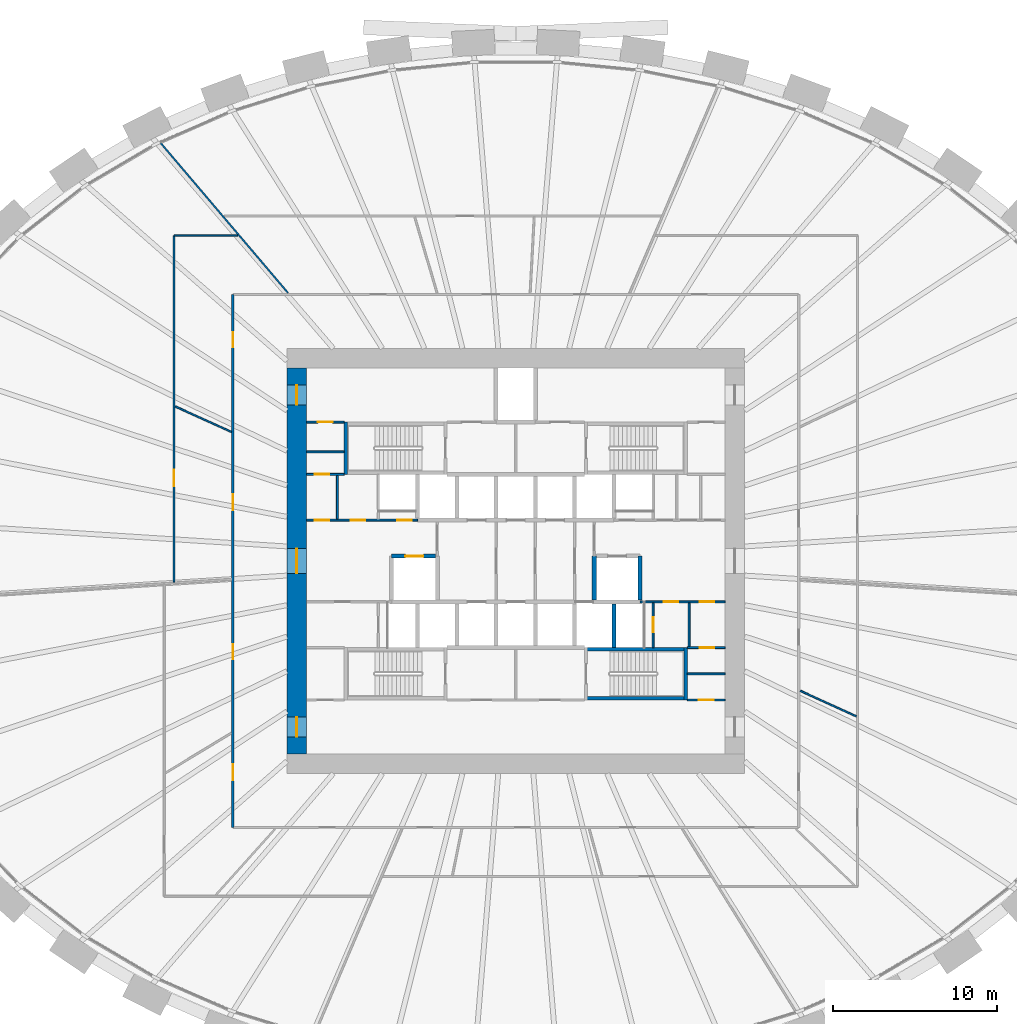
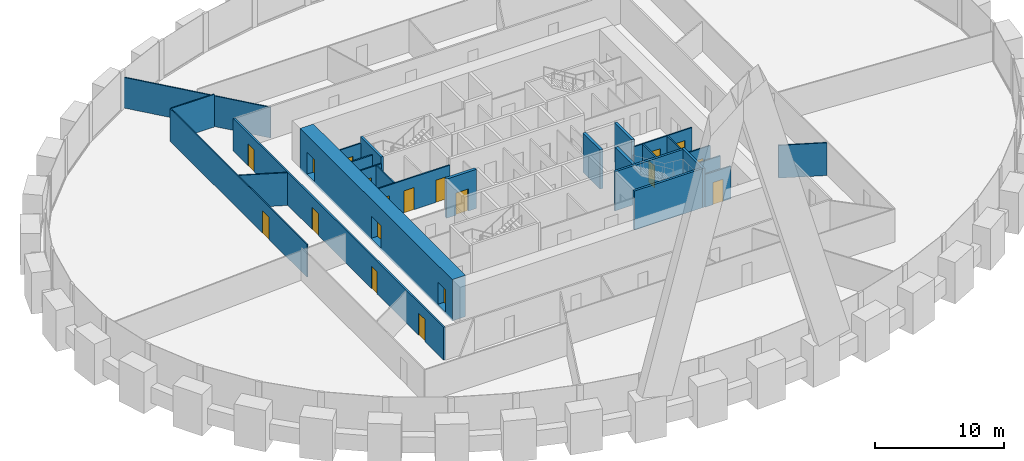
# One storey, part 7 of 10: 26 walls, 19 doors, 19 openings.
"""IFC4 building model written with IfcOpenShell, lengths in metres."""

import ifcopenshell
import ifcopenshell.guid

model = None  # the IFC model being written
_history = None  # IfcOwnerHistory: only IFC2X3 demands one
_inside = {}  # id of a spatial element -> (the spatial element, [elements in it])
_under = {}  # id of a project, library or spatial element -> (it, [spatial elements below it])
_declared = {}  # id of a project -> (the project, [libraries it declares])
_typed = {}  # id of a type object -> (the type object, [elements of that type])
_made_of = {}  # id of a material, layer set ... -> (it, [elements and type objects made of it])


def new_model(schema):
    """Start an empty IFC model of exactly this schema.

    Asked for "IFC4X3", IfcOpenShell would pick the latest addendum, in which some entities
    have other attributes; the version numbers below select the first issue.
    IFC2X3 requires an IfcOwnerHistory on every rooted entity: one is made here for all.
    """
    global model, _history
    if schema == "IFC4X3":
        model = ifcopenshell.file(schema_version=(4, 3, 0, 0))
    else:
        model = ifcopenshell.file(schema=schema)
    _inside.clear()
    _under.clear()
    _declared.clear()
    _typed.clear()
    _made_of.clear()
    _history = None
    if model.schema == "IFC2X3":
        org = make("IfcOrganization", Name="unknown")
        user = make(
            "IfcPersonAndOrganization",
            ThePerson=make("IfcPerson", FamilyName="unknown"),
            TheOrganization=org,
        )
        app = make(
            "IfcApplication",
            ApplicationDeveloper=org,
            Version="unknown",
            ApplicationFullName="unknown",
            ApplicationIdentifier="unknown",
        )
        _history = make(
            "IfcOwnerHistory",
            OwningUser=user,
            OwningApplication=app,
            ChangeAction="ADDED",
            CreationDate=0,
        )
    return model


def make(cls, **values):
    """One entity of the class cls with the attributes given. An attribute that is None is left unset."""
    return model.create_entity(
        cls, **{name: value for name, value in values.items() if value is not None}
    )


def rooted(cls, **values):
    """An entity with a GlobalId (a new one), such as an element, a storey or a relation."""
    return make(cls, GlobalId=ifcopenshell.guid.new(), OwnerHistory=_history, **values)


def si_unit(unit_type, name, prefix=None):
    """IfcSIUnit, for example si_unit("LENGTHUNIT", "METRE", prefix="MILLI")."""
    return make("IfcSIUnit", UnitType=unit_type, Prefix=prefix, Name=name)


def assignment(units):
    """IfcUnitAssignment: the units of a project."""
    return None if units is None else make("IfcUnitAssignment", Units=units)


def point(xyz):
    """IfcCartesianPoint."""
    return None if xyz is None else make("IfcCartesianPoint", Coordinates=xyz)


def direction(xyz):
    """IfcDirection."""
    return None if xyz is None else make("IfcDirection", DirectionRatios=xyz)


def frame(location, z_axis=None, x_axis=None):
    """IfcAxis2Placement3D, a coordinate frame: its origin and axes. An axis left out is left unset."""
    return make(
        "IfcAxis2Placement3D",
        Location=point(location),
        Axis=direction(z_axis),
        RefDirection=direction(x_axis),
    )


def frame_2d(location, x_axis=None):
    """IfcAxis2Placement2D, a coordinate frame in the plane: its origin and x axis."""
    return make(
        "IfcAxis2Placement2D", Location=point(location), RefDirection=direction(x_axis)
    )


def origin():
    """The frame at (0, 0, 0) with its axes left unset."""
    return frame((0.0, 0.0, 0.0))


def place(relative_to, where):
    """IfcLocalPlacement: puts the frame where relative to a parent placement (None: the world)."""
    return make(
        "IfcLocalPlacement", PlacementRelTo=relative_to, RelativePlacement=where
    )


def context(
    kind, dimensions, precision=None, world=None, true_north=None, identifier=None
):
    """IfcGeometricRepresentationContext, for example the 3D "Model" context."""
    return make(
        "IfcGeometricRepresentationContext",
        ContextIdentifier=identifier,
        ContextType=kind,
        CoordinateSpaceDimension=dimensions,
        Precision=precision,
        WorldCoordinateSystem=world,
        TrueNorth=true_north,
    )


def subcontext(parent, identifier, kind, view, scale=None):
    """IfcGeometricRepresentationSubContext, for example "Body" below "Model"."""
    return make(
        "IfcGeometricRepresentationSubContext",
        ContextIdentifier=identifier,
        ContextType=kind,
        ParentContext=parent,
        TargetScale=scale,
        TargetView=view,
    )


def project(units=None, contexts=None):
    """IfcProject with its units and contexts."""
    return rooted(
        "IfcProject",
        Name="project",
        RepresentationContexts=contexts,
        UnitsInContext=assignment(units),
    )


def spatial(cls, under=None, at=None, **own):
    """A site, building, storey or space (cls), placed at a placement, below another one or the project."""
    s = rooted(cls, ObjectPlacement=at, **own)
    if under is not None:
        _under.setdefault(under.id(), (under, []))[1].append(s)
    return s


def profile(cls, at=None, kind="AREA", **sizes):
    """A parametric profile (cls). Its sizes go by their IFC names, for example OverallWidth=200.0."""
    return make(cls, ProfileType=kind, Position=at, **sizes)


def rectangle(**sizes):
    """IfcRectangleProfileDef."""
    return profile("IfcRectangleProfileDef", **sizes)


def extrude(swept, where, along, depth):
    """IfcExtrudedAreaSolid: the profile swept, set in the frame where, extruded along a direction by depth."""
    return make(
        "IfcExtrudedAreaSolid",
        SweptArea=swept,
        Position=where,
        ExtrudedDirection=direction(along),
        Depth=depth,
    )


def shape(context_of_items, identifier, shape_type, items):
    """IfcShapeRepresentation: the items that make up one representation, for example the "Body"."""
    return make(
        "IfcShapeRepresentation",
        ContextOfItems=context_of_items,
        RepresentationIdentifier=identifier,
        RepresentationType=shape_type,
        Items=items,
    )


def source(mapping_origin, context_of_items, identifier, shape_type, items):
    """IfcRepresentationMap: a shape defined once, which mapped items show again and again."""
    return make(
        "IfcRepresentationMap",
        MappingOrigin=mapping_origin,
        MappedRepresentation=shape(context_of_items, identifier, shape_type, items),
    )


def transform(
    local_origin,
    x_axis=None,
    y_axis=None,
    z_axis=None,
    scale=None,
    scale2=None,
    scale3=None,
    uniform=True,
):
    """IfcCartesianTransformationOperator3D, or its non-uniform kind. x_axis, y_axis, z_axis: its Axis1, 2, 3."""
    if uniform:
        return make(
            "IfcCartesianTransformationOperator3D",
            Axis1=direction(x_axis),
            Axis2=direction(y_axis),
            LocalOrigin=point(local_origin),
            Scale=scale,
            Axis3=direction(z_axis),
        )
    return make(
        "IfcCartesianTransformationOperator3DnonUniform",
        Axis1=direction(x_axis),
        Axis2=direction(y_axis),
        LocalOrigin=point(local_origin),
        Scale=scale,
        Axis3=direction(z_axis),
        Scale2=scale2,
        Scale3=scale3,
    )


def mapped(mapping_source, mapping_target):
    """IfcMappedItem: shows the shape of a source again, moved by a transform."""
    return make(
        "IfcMappedItem", MappingSource=mapping_source, MappingTarget=mapping_target
    )


def material(Name=None, Category=None):
    """IfcMaterial."""
    return make("IfcMaterial", Name=Name, Category=Category)


def layer(
    of_material, thickness, ventilated=None, Name=None, Category=None, Priority=None
):
    """IfcMaterialLayer: one layer of a wall or slab, of a material (None: an air gap)."""
    return make(
        "IfcMaterialLayer",
        Material=of_material,
        LayerThickness=thickness,
        IsVentilated=ventilated,
        Name=Name,
        Category=Category,
        Priority=Priority,
    )


def layer_set(layers, Name=None):
    """IfcMaterialLayerSet."""
    return make("IfcMaterialLayerSet", MaterialLayers=layers, LayerSetName=Name)


def made_of(thing, what):
    """Note that an element or type object is made of a material, layer set ...; save() writes the relation."""
    if what is not None:
        _made_of.setdefault(what.id(), (what, []))[1].append(thing)
    return thing


def type_object(cls, material=None, **own):
    """A type object (cls), such as IfcWallType, which elements share."""
    return made_of(rooted(cls, **own), material)


def element(
    cls,
    number,
    at=None,
    inside=None,
    cuts=None,
    type_object=None,
    material=None,
    context=None,
    identifier="Body",
    shape_type=None,
    held_by="IfcProductDefinitionShape",
    body=None,
    shapes=None,
    **own,
):
    """One element of the class cls, such as IfcWall. Its Tag is "e" and its number.

    at: its placement. inside: the storey or other place that contains it. cuts: it is an
    opening in that element (IfcRelVoidsElement). A single representation is given by context,
    identifier, shape_type and body (its items); several are given by shapes. held_by: the class
    of the entity that holds the representations. save() writes the other relations.
    """
    e = rooted(cls, Tag="e%d" % number, ObjectPlacement=at, **own)
    if body is not None:
        shapes = [shape(context, identifier, shape_type, body)]
    if shapes is not None:
        e.Representation = make(held_by, Representations=shapes)
    if inside is not None:
        _inside.setdefault(inside.id(), (inside, []))[1].append(e)
    if cuts is not None:
        rooted(
            "IfcRelVoidsElement", RelatingBuildingElement=cuts, RelatedOpeningElement=e
        )
    if type_object is not None:
        _typed.setdefault(type_object.id(), (type_object, []))[1].append(e)
    return made_of(e, material)


def fill(opening, filler):
    """IfcRelFillsElement: the door or window that sits in an opening."""
    return rooted(
        "IfcRelFillsElement",
        RelatingOpeningElement=opening,
        RelatedBuildingElement=filler,
    )


def aggregate(whole, parts):
    """IfcRelAggregates: a whole, such as a stair, and the parts it consists of."""
    return rooted("IfcRelAggregates", RelatingObject=whole, RelatedObjects=parts)


def save(model, path):
    """Write the relations noted so far, then the file.

    IfcRelAggregates (storeys below a building ...), IfcRelContainedInSpatialStructure (elements
    in a storey), IfcRelDefinesByType, IfcRelAssociatesMaterial and IfcRelDeclares: one each for
    every whole, place, type object, material and project.
    """
    for whole, parts in _under.values():
        aggregate(whole, parts)
    for where, things in _inside.values():
        rooted(
            "IfcRelContainedInSpatialStructure",
            RelatedElements=things,
            RelatingStructure=where,
        )
    for kind, things in _typed.values():
        rooted("IfcRelDefinesByType", RelatedObjects=things, RelatingType=kind)
    for what, things in _made_of.values():
        rooted("IfcRelAssociatesMaterial", RelatedObjects=things, RelatingMaterial=what)
    for by, libraries in _declared.values():
        rooted("IfcRelDeclares", RelatingContext=by, RelatedDefinitions=libraries)
    model.write(path)


model = new_model("IFC4")

# Units and contexts
model_context = context("Model", 3, precision=1e-05, world=origin(), true_north=direction((0.0, 1.0)))
body_context = subcontext(model_context, "Body", "Model", "MODEL_VIEW")
ifc_project = project(units=[si_unit("LENGTHUNIT", "METRE"), si_unit("AREAUNIT", "SQUARE_METRE"), si_unit("VOLUMEUNIT", "CUBIC_METRE"), si_unit("PLANEANGLEUNIT", "RADIAN"), si_unit("MASSUNIT", "GRAM", prefix="KILO")], contexts=[model_context])

# Site, building, storey
site_placement = place(None, origin())
site = spatial("IfcSite", under=ifc_project, at=site_placement, CompositionType="ELEMENT")
building_placement = place(site_placement, origin())
building = spatial("IfcBuilding", under=site, at=building_placement, Name="Embergate Tower", CompositionType="ELEMENT")
storey_placement = place(building_placement, frame((0.0, 0.0, 89.300048828125)))
storey = spatial("IfcBuildingStorey", under=building, at=storey_placement, Name="L18", CompositionType="ELEMENT", Elevation=89.300048828125)

# Wall, openings, doors
ifc_material_1 = material(Name="Concrete C80", Category="concrete")
ifc_layer_1 = layer(ifc_material_1, 1.199951171875)
ifc_layer_set_1 = layer_set([ifc_layer_1], Name="Concrete C80")
wall_type_1 = type_object("IfcWallType", Name="Core outer wall C80 1200", PredefinedType="SHEAR", material=ifc_layer_set_1)
shared_shape_1 = source(origin(), body_context, "Body", "SweptSolid", [
    extrude(rectangle(XDim=23.60009765625, YDim=1.199951171875, at=frame_2d((11.800048828125, 0.0))), origin(), (0.0, 0.0, 1.0), 3.89990234375),
])
wall_1_placement = place(storey_placement, frame((-13.39990234375, -11.800048828125, -0.199951171875), z_axis=(0.0, 0.0, 1.0), x_axis=(0.0, 1.0, 0.0)))
wall_1 = element("IfcWall", 1, at=wall_1_placement, inside=storey, type_object=wall_type_1, Name="CW-L18-W", PredefinedType="SHEAR", context=body_context, shape_type="MappedRepresentation", body=[
    mapped(shared_shape_1, transform((0.0, 0.0, 0.0))),
])
shared_shape_2 = source(origin(), body_context, "Body", "SweptSolid", [
    extrude(rectangle(XDim=1.199951171875, YDim=2.10009765625, at=frame_2d((0.60009765625, 1.050048828125))), frame((0.0, 0.60986328125, 0.0), z_axis=(0.0, -1.0, 0.0), x_axis=(1.0, 0.0, 0.0)), (0.0, 0.0, 1.0), 1.219970703125),
])
opening_1_placement = place(wall_1_placement, frame((21.35009765625, 0.0, 0.199951171875)))
opening_1 = element("IfcOpeningElement", 2, at=opening_1_placement, cuts=wall_1, Name="Opening IF-1", PredefinedType="OPENING", context=body_context, shape_type="MappedRepresentation", body=[
    mapped(shared_shape_2, transform((0.0, 0.0, 0.0))),
])
opening_2_placement = place(wall_1_placement, frame((1.050048828125, 0.0, 0.199951171875)))
opening_2 = element("IfcOpeningElement", 3, at=opening_2_placement, cuts=wall_1, Name="Opening IF-1", PredefinedType="OPENING", context=body_context, shape_type="MappedRepresentation", body=[
    mapped(shared_shape_2, transform((0.0, 0.0, 0.0))),
])
shared_shape_3 = source(origin(), body_context, "Body", "SweptSolid", [
    extrude(rectangle(XDim=1.5, YDim=2.10009765625, at=frame_2d((0.75, 1.050048828125))), frame((0.0, 0.60986328125, 0.0), z_axis=(0.0, -1.0, 0.0), x_axis=(1.0, 0.0, 0.0)), (0.0, 0.0, 1.0), 1.219970703125),
])
opening_3_placement = place(wall_1_placement, frame((11.050048828125, 0.0, 0.199951171875)))
opening_3 = element("IfcOpeningElement", 4, at=opening_3_placement, cuts=wall_1, Name="Opening IF-3", PredefinedType="OPENING", context=body_context, shape_type="MappedRepresentation", body=[
    mapped(shared_shape_3, transform((0.0, 0.0, 0.0))),
])
ifc_material_2 = material(Name="Escape fire door 1200")
door_type_1 = type_object("IfcDoorType", Name="Escape fire door 1200", OperationType="SINGLE_SWING_LEFT", PredefinedType="DOOR", material=ifc_material_2)
shared_shape_4 = source(origin(), body_context, "Body", "SweptSolid", [
    extrude(rectangle(XDim=1.199951171875, YDim=2.10009765625, at=frame_2d((0.60009765625, 1.050048828125))), frame((0.0, 0.02490234375, 0.0), z_axis=(0.0, -1.0, 0.0), x_axis=(1.0, 0.0, 0.0)), (0.0, 0.0, 1.0), 0.050048828125),
])
door_1_placement = place(opening_1_placement, origin())
door_1 = element("IfcDoor", 5, at=door_1_placement, inside=storey, type_object=door_type_1, Name="IF-1 door", OperationType="SINGLE_SWING_RIGHT", OverallHeight=2.10009765625, OverallWidth=1.199951171875, PredefinedType="DOOR", context=body_context, shape_type="MappedRepresentation", body=[
    mapped(shared_shape_4, transform((0.0, 0.0, 0.0))),
])
fill(opening_1, door_1)
door_2_placement = place(opening_2_placement, origin())
door_2 = element("IfcDoor", 6, at=door_2_placement, inside=storey, type_object=door_type_1, Name="IF-1 door", OperationType="SINGLE_SWING_RIGHT", OverallHeight=2.10009765625, OverallWidth=1.199951171875, PredefinedType="DOOR", context=body_context, shape_type="MappedRepresentation", body=[
    mapped(shared_shape_4, transform((0.0, 0.0, 0.0))),
])
fill(opening_2, door_2)
ifc_material_3 = material(Name="Lobby fire door pair 1500")
door_type_2 = type_object("IfcDoorType", Name="Lobby fire door pair 1500", OperationType="DOUBLE_DOOR_SINGLE_SWING", PredefinedType="DOOR", material=ifc_material_3)
shared_shape_5 = source(origin(), body_context, "Body", "SweptSolid", [
    extrude(rectangle(XDim=1.5, YDim=2.10009765625, at=frame_2d((0.75, 1.050048828125))), frame((0.0, 0.02490234375, 0.0), z_axis=(0.0, -1.0, 0.0), x_axis=(1.0, 0.0, 0.0)), (0.0, 0.0, 1.0), 0.050048828125),
])
door_3_placement = place(opening_3_placement, origin())
door_3 = element("IfcDoor", 7, at=door_3_placement, inside=storey, type_object=door_type_2, Name="IF-3 door", OperationType="DOUBLE_DOOR_SINGLE_SWING", OverallHeight=2.10009765625, OverallWidth=1.5, PredefinedType="DOOR", context=body_context, shape_type="MappedRepresentation", body=[
    mapped(shared_shape_5, transform((0.0, 0.0, 0.0))),
])
fill(opening_3, door_3)

# Walls
ifc_material_4 = material(Name="Concrete C50", Category="concrete")
ifc_layer_2 = layer(ifc_material_4, 0.25)
ifc_layer_set_2 = layer_set([ifc_layer_2], Name="Concrete C50")
wall_type_2 = type_object("IfcWallType", Name="Hoistway wall reinforced concrete 250", PredefinedType="SHEAR", material=ifc_layer_set_2)
shared_shape_6 = source(origin(), body_context, "Body", "SweptSolid", [
    extrude(rectangle(XDim=2.675048828125, YDim=0.25, at=frame_2d((1.33740234375, 0.0))), origin(), (0.0, 0.0, 1.0), 3.699951171875),
])
for number, where, z_axis, x_axis, name in (
    (8, (6.0, -5.300048828125, 0.0), (0.0, 0.0, 1.0), (0.0, 1.0, 0.0), "HW-1 wall"),
    (9, (4.800048828125, -2.375, 0.0), (0.0, 0.0, 1.0), (0.0, 1.0, 0.0), "HW-1 wall"),
):
    element("IfcWall", number, at=place(storey_placement, frame(where, z_axis=z_axis, x_axis=x_axis)), inside=storey, type_object=wall_type_2, Name=name, PredefinedType="SHEAR", context=body_context, shape_type="MappedRepresentation", body=[
        mapped(shared_shape_6, transform((0.0, 0.0, 0.0))),
    ])

# Wall, opening, door
wall_2_placement = place(storey_placement, frame((-4.925048828125, 0.300048828125, 0.0), z_axis=(0.0, 0.0, 1.0), x_axis=(-1.0, 0.0, 0.0)))
wall_2 = element("IfcWall", 10, at=wall_2_placement, inside=storey, type_object=wall_type_2, Name="HW-1 wall", PredefinedType="SHEAR", context=body_context, shape_type="MappedRepresentation", body=[
    mapped(shared_shape_6, transform((0.0, 0.0, 0.0))),
])
shared_shape_7 = source(origin(), body_context, "Body", "SweptSolid", [
    extrude(rectangle(XDim=1.10009765625, YDim=2.10009765625, at=frame_2d((0.550048828125, 1.050048828125))), frame((0.0, 0.135009765625, 0.0), z_axis=(0.0, -1.0, 0.0), x_axis=(1.0, 0.0, 0.0)), (0.0, 0.0, 1.0), 0.27001953125),
])
opening_4_placement = place(wall_2_placement, frame((0.72509765625, 0.0, 0.0)))
opening_4 = element("IfcOpeningElement", 11, at=opening_4_placement, cuts=wall_2, Name="Opening LD", PredefinedType="OPENING", context=body_context, shape_type="MappedRepresentation", body=[
    mapped(shared_shape_7, transform((0.0, 0.0, 0.0))),
])
ifc_material_5 = material(Name="Landing door sliding 1100")
door_type_3 = type_object("IfcDoorType", Name="Landing door sliding 1100", OperationType="SLIDING_TO_LEFT", PredefinedType="DOOR", material=ifc_material_5)
shared_shape_8 = source(origin(), body_context, "Body", "SweptSolid", [
    extrude(rectangle(XDim=1.10009765625, YDim=2.10009765625, at=frame_2d((0.550048828125, 1.050048828125))), frame((0.0, 0.02490234375, 0.0), z_axis=(0.0, -1.0, 0.0), x_axis=(1.0, 0.0, 0.0)), (0.0, 0.0, 1.0), 0.050048828125),
])
door_4_placement = place(opening_4_placement, origin())
door_4 = element("IfcDoor", 12, at=door_4_placement, inside=storey, type_object=door_type_3, Name="LD door", OperationType="SLIDING_TO_LEFT", OverallHeight=2.10009765625, OverallWidth=1.10009765625, PredefinedType="DOOR", context=body_context, shape_type="MappedRepresentation", body=[
    mapped(shared_shape_8, transform((0.0, 0.0, 0.0))),
])
fill(opening_4, door_4)

# Walls
wall_3_placement = place(storey_placement, frame((7.60009765625, -2.375, 0.0), z_axis=(0.0, 0.0, 1.0), x_axis=(0.0, 1.0, 0.0)))
element("IfcWall", 13, at=wall_3_placement, inside=storey, type_object=wall_type_2, Name="HW-1 wall", PredefinedType="SHEAR", context=body_context, shape_type="MappedRepresentation", body=[
    mapped(shared_shape_6, transform((0.0, 0.0, 0.0))),
])
ifc_layer_3 = layer(ifc_material_4, 0.199951171875)
ifc_layer_set_3 = layer_set([ifc_layer_3], Name="Concrete C50")
wall_type_3 = type_object("IfcWallType", Name="Stair enclosure wall reinforced concrete 250", PredefinedType="SHEAR", material=ifc_layer_set_3)
shared_shape_9 = source(origin(), body_context, "Body", "SweptSolid", [
    extrude(rectangle(XDim=6.300048828125, YDim=0.199951171875, at=frame_2d((3.14990234375, 0.0))), origin(), (0.0, 0.0, 1.0), 3.699951171875),
])
for number, where, z_axis, x_axis, name in (
    (14, (4.199951171875, -5.39990234375, 0.0), (0.0, 0.0, 1.0), (1.0, 0.0, 0.0), "SE-1 wall"),
    (15, (4.199951171875, -8.39990234375, 0.0), (0.0, 0.0, 1.0), (1.0, 0.0, 0.0), "SE-1 wall"),
):
    element("IfcWall", number, at=place(storey_placement, frame(where, z_axis=z_axis, x_axis=x_axis)), inside=storey, type_object=wall_type_3, Name=name, PredefinedType="SHEAR", context=body_context, shape_type="MappedRepresentation", body=[
        mapped(shared_shape_9, transform((0.0, 0.0, 0.0))),
    ])
shared_shape_10 = source(origin(), body_context, "Body", "SweptSolid", [
    extrude(rectangle(XDim=3.199951171875, YDim=0.199951171875, at=frame_2d((1.60009765625, 0.0))), origin(), (0.0, 0.0, 1.0), 3.699951171875),
])
for number, where, z_axis, x_axis, name in (
    (16, (-10.39990234375, 8.5, 0.0), (0.0, 0.0, 1.0), (0.0, -1.0, 0.0), "SE-1 wall"),
    (17, (10.39990234375, -8.5, 0.0), (0.0, 0.0, 1.0), (0.0, 1.0, 0.0), "SE-1 wall"),
):
    element("IfcWall", number, at=place(storey_placement, frame(where, z_axis=z_axis, x_axis=x_axis)), inside=storey, type_object=wall_type_3, Name=name, PredefinedType="SHEAR", context=body_context, shape_type="MappedRepresentation", body=[
        mapped(shared_shape_10, transform((0.0, 0.0, 0.0))),
    ])

# Wall, openings, doors
ifc_material_6 = material(Name="Core partition blockwork 120")
ifc_layer_4 = layer(ifc_material_6, 0.1201171875)
ifc_layer_set_4 = layer_set([ifc_layer_4], Name="Core partition blockwork 120")
wall_type_4 = type_object("IfcWallType", Name="Core partition blockwork 120", PredefinedType="PARTITIONING", material=ifc_layer_set_4)
shared_shape_11 = source(origin(), body_context, "Body", "SweptSolid", [
    extrude(rectangle(XDim=6.800048828125, YDim=0.1201171875, at=frame_2d((3.39990234375, 0.0))), origin(), (0.0, 0.0, 1.0), 3.099853515625),
])
wall_4_placement = place(storey_placement, frame((-12.800048828125, 2.5, 0.0), z_axis=(0.0, 0.0, 1.0), x_axis=(1.0, 0.0, 0.0)))
wall_4 = element("IfcWall", 18, at=wall_4_placement, inside=storey, type_object=wall_type_4, Name="IP-3 wall", PredefinedType="PARTITIONING", context=body_context, shape_type="MappedRepresentation", body=[
    mapped(shared_shape_11, transform((0.0, 0.0, 0.0))),
])
shared_shape_12 = source(origin(), body_context, "Body", "SweptSolid", [
    extrude(rectangle(XDim=0.89990234375, YDim=2.10009765625, at=frame_2d((0.449951171875, 1.050048828125))), frame((0.0, 0.070068359375, 0.0), z_axis=(0.0, -1.0, 0.0), x_axis=(1.0, 0.0, 0.0)), (0.0, 0.0, 1.0), 0.14013671875),
])
opening_5_placement = place(wall_4_placement, frame((5.550048828125, 0.0, 0.0)))
opening_5 = element("IfcOpeningElement", 19, at=opening_5_placement, cuts=wall_4, Name="Opening ID-1", PredefinedType="OPENING", context=body_context, shape_type="MappedRepresentation", body=[
    mapped(shared_shape_12, transform((0.0, 0.0, 0.0))),
])
opening_6_placement = place(wall_4_placement, frame((0.49609375, 0.0, 0.0)))
opening_6 = element("IfcOpeningElement", 20, at=opening_6_placement, cuts=wall_4, Name="Opening ID-1", PredefinedType="OPENING", context=body_context, shape_type="MappedRepresentation", body=[
    mapped(shared_shape_12, transform((0.0, 0.0, 0.0))),
])
opening_7_placement = place(wall_4_placement, frame((2.696044921875, 0.0, 0.0)))
opening_7 = element("IfcOpeningElement", 21, at=opening_7_placement, cuts=wall_4, Name="Opening ID-1", PredefinedType="OPENING", context=body_context, shape_type="MappedRepresentation", body=[
    mapped(shared_shape_12, transform((0.0, 0.0, 0.0))),
])
ifc_material_7 = material(Name="Interior door 900")
door_type_4 = type_object("IfcDoorType", Name="Interior door 900", OperationType="SINGLE_SWING_LEFT", PredefinedType="DOOR", material=ifc_material_7)
shared_shape_13 = source(origin(), body_context, "Body", "SweptSolid", [
    extrude(rectangle(XDim=0.89990234375, YDim=2.10009765625, at=frame_2d((0.449951171875, 1.050048828125))), frame((0.0, 0.02490234375, 0.0), z_axis=(0.0, -1.0, 0.0), x_axis=(1.0, 0.0, 0.0)), (0.0, 0.0, 1.0), 0.050048828125),
])
door_5_placement = place(opening_5_placement, origin())
door_5 = element("IfcDoor", 22, at=door_5_placement, inside=storey, type_object=door_type_4, Name="ID-1 door", OperationType="SINGLE_SWING_LEFT", OverallHeight=2.10009765625, OverallWidth=0.89990234375, PredefinedType="DOOR", context=body_context, shape_type="MappedRepresentation", body=[
    mapped(shared_shape_13, transform((0.0, 0.0, 0.0))),
])
fill(opening_5, door_5)
door_6_placement = place(opening_6_placement, origin())
door_6 = element("IfcDoor", 23, at=door_6_placement, inside=storey, type_object=door_type_4, Name="ID-1 door", OperationType="SINGLE_SWING_LEFT", OverallHeight=2.10009765625, OverallWidth=0.89990234375, PredefinedType="DOOR", context=body_context, shape_type="MappedRepresentation", body=[
    mapped(shared_shape_13, transform((0.0, 0.0, 0.0))),
])
fill(opening_6, door_6)
door_7_placement = place(opening_7_placement, origin())
door_7 = element("IfcDoor", 24, at=door_7_placement, inside=storey, type_object=door_type_4, Name="ID-1 door", OperationType="SINGLE_SWING_RIGHT", OverallHeight=2.10009765625, OverallWidth=0.89990234375, PredefinedType="DOOR", context=body_context, shape_type="MappedRepresentation", body=[
    mapped(shared_shape_13, transform((0.0, 0.0, 0.0))),
])
fill(opening_7, door_7)

# Wall, opening, door
shared_shape_14 = source(origin(), body_context, "Body", "SweptSolid", [
    extrude(rectangle(XDim=2.739990234375, YDim=0.1201171875, at=frame_2d((1.3701171875, 0.0))), origin(), (0.0, 0.0, 1.0), 3.099853515625),
])
wall_5_placement = place(storey_placement, frame((8.39990234375, -5.300048828125, 0.0), z_axis=(0.0, 0.0, 1.0), x_axis=(0.0, 1.0, 0.0)))
wall_5 = element("IfcWall", 25, at=wall_5_placement, inside=storey, type_object=wall_type_4, Name="IP-3 wall", PredefinedType="PARTITIONING", context=body_context, shape_type="MappedRepresentation", body=[
    mapped(shared_shape_14, transform((0.0, 0.0, 0.0))),
])
opening_8_placement = place(wall_5_placement, frame((0.949951171875, 0.0, 0.0)))
opening_8 = element("IfcOpeningElement", 26, at=opening_8_placement, cuts=wall_5, Name="Opening ID-1", PredefinedType="OPENING", context=body_context, shape_type="MappedRepresentation", body=[
    mapped(shared_shape_12, transform((0.0, 0.0, 0.0))),
])
door_8_placement = place(opening_8_placement, origin())
door_8 = element("IfcDoor", 27, at=door_8_placement, inside=storey, type_object=door_type_4, Name="ID-1 door", OperationType="SINGLE_SWING_RIGHT", OverallHeight=2.10009765625, OverallWidth=0.89990234375, PredefinedType="DOOR", context=body_context, shape_type="MappedRepresentation", body=[
    mapped(shared_shape_13, transform((0.0, 0.0, 0.0))),
])
fill(opening_8, door_8)

# Wall, openings, doors
shared_shape_15 = source(origin(), body_context, "Body", "SweptSolid", [
    extrude(rectangle(XDim=5.199951171875, YDim=0.1201171875, at=frame_2d((2.60009765625, 0.0))), origin(), (0.0, 0.0, 1.0), 3.099853515625),
])
wall_6_placement = place(storey_placement, frame((12.800048828125, -2.5, 0.0), z_axis=(0.0, 0.0, 1.0), x_axis=(-1.0, 0.0, 0.0)))
wall_6 = element("IfcWall", 28, at=wall_6_placement, inside=storey, type_object=wall_type_4, Name="IP-3 wall", PredefinedType="PARTITIONING", context=body_context, shape_type="MappedRepresentation", body=[
    mapped(shared_shape_15, transform((0.0, 0.0, 0.0))),
])
opening_9_placement = place(wall_6_placement, frame((2.85009765625, 0.0, 0.0)))
opening_9 = element("IfcOpeningElement", 29, at=opening_9_placement, cuts=wall_6, Name="Opening ID-1", PredefinedType="OPENING", context=body_context, shape_type="MappedRepresentation", body=[
    mapped(shared_shape_12, transform((0.0, 0.0, 0.0))),
])
opening_10_placement = place(wall_6_placement, frame((0.64990234375, 0.0, 0.0)))
opening_10 = element("IfcOpeningElement", 30, at=opening_10_placement, cuts=wall_6, Name="Opening ID-1", PredefinedType="OPENING", context=body_context, shape_type="MappedRepresentation", body=[
    mapped(shared_shape_12, transform((0.0, 0.0, 0.0))),
])
door_9_placement = place(opening_9_placement, origin())
door_9 = element("IfcDoor", 31, at=door_9_placement, inside=storey, type_object=door_type_4, Name="ID-1 door", OperationType="SINGLE_SWING_LEFT", OverallHeight=2.10009765625, OverallWidth=0.89990234375, PredefinedType="DOOR", context=body_context, shape_type="MappedRepresentation", body=[
    mapped(shared_shape_13, transform((0.0, 0.0, 0.0))),
])
fill(opening_9, door_9)
door_10_placement = place(opening_10_placement, origin())
door_10 = element("IfcDoor", 32, at=door_10_placement, inside=storey, type_object=door_type_4, Name="ID-1 door", OperationType="SINGLE_SWING_RIGHT", OverallHeight=2.10009765625, OverallWidth=0.89990234375, PredefinedType="DOOR", context=body_context, shape_type="MappedRepresentation", body=[
    mapped(shared_shape_13, transform((0.0, 0.0, 0.0))),
])
fill(opening_10, door_10)

# Wall, opening, door
shared_shape_16 = source(origin(), body_context, "Body", "SweptSolid", [
    extrude(rectangle(XDim=2.300048828125, YDim=0.1201171875, at=frame_2d((1.14990234375, 0.0))), origin(), (0.0, 0.0, 1.0), 3.099853515625),
])
wall_7_placement = place(storey_placement, frame((-12.800048828125, 8.5, 0.0), z_axis=(0.0, 0.0, 1.0), x_axis=(1.0, 0.0, 0.0)))
wall_7 = element("IfcWall", 33, at=wall_7_placement, inside=storey, type_object=wall_type_4, Name="IP-3 wall", PredefinedType="PARTITIONING", context=body_context, shape_type="MappedRepresentation", body=[
    mapped(shared_shape_16, transform((0.0, 0.0, 0.0))),
])
opening_11_placement = place(wall_7_placement, frame((0.699951171875, 0.0, 0.0)))
opening_11 = element("IfcOpeningElement", 34, at=opening_11_placement, cuts=wall_7, Name="Opening ID-1", PredefinedType="OPENING", context=body_context, shape_type="MappedRepresentation", body=[
    mapped(shared_shape_12, transform((0.0, 0.0, 0.0))),
])
door_11_placement = place(opening_11_placement, origin())
door_11 = element("IfcDoor", 35, at=door_11_placement, inside=storey, type_object=door_type_4, Name="ID-1 door", OperationType="SINGLE_SWING_RIGHT", OverallHeight=2.10009765625, OverallWidth=0.89990234375, PredefinedType="DOOR", context=body_context, shape_type="MappedRepresentation", body=[
    mapped(shared_shape_13, transform((0.0, 0.0, 0.0))),
])
fill(opening_11, door_11)

wall_8_placement = place(storey_placement, frame((12.800048828125, -8.5, 0.0), z_axis=(0.0, 0.0, 1.0), x_axis=(-1.0, 0.0, 0.0)))
wall_8 = element("IfcWall", 36, at=wall_8_placement, inside=storey, type_object=wall_type_4, Name="IP-3 wall", PredefinedType="PARTITIONING", context=body_context, shape_type="MappedRepresentation", body=[
    mapped(shared_shape_16, transform((0.0, 0.0, 0.0))),
])
opening_12_placement = place(wall_8_placement, frame((0.699951171875, 0.0, 0.0)))
opening_12 = element("IfcOpeningElement", 37, at=opening_12_placement, cuts=wall_8, Name="Opening ID-1", PredefinedType="OPENING", context=body_context, shape_type="MappedRepresentation", body=[
    mapped(shared_shape_12, transform((0.0, 0.0, 0.0))),
])
door_12_placement = place(opening_12_placement, origin())
door_12 = element("IfcDoor", 38, at=door_12_placement, inside=storey, type_object=door_type_4, Name="ID-1 door", OperationType="SINGLE_SWING_LEFT", OverallHeight=2.10009765625, OverallWidth=0.89990234375, PredefinedType="DOOR", context=body_context, shape_type="MappedRepresentation", body=[
    mapped(shared_shape_13, transform((0.0, 0.0, 0.0))),
])
fill(opening_12, door_12)

wall_9_placement = place(storey_placement, frame((-10.5, 5.300048828125, 0.0), z_axis=(0.0, 0.0, 1.0), x_axis=(-1.0, 0.0, 0.0)))
wall_9 = element("IfcWall", 39, at=wall_9_placement, inside=storey, type_object=wall_type_4, Name="IP-3 wall", PredefinedType="PARTITIONING", context=body_context, shape_type="MappedRepresentation", body=[
    mapped(shared_shape_16, transform((0.0, 0.0, 0.0))),
])
opening_13_placement = place(wall_9_placement, frame((0.904052734375, 0.0, 0.0)))
opening_13 = element("IfcOpeningElement", 40, at=opening_13_placement, cuts=wall_9, Name="Opening ID-1", PredefinedType="OPENING", context=body_context, shape_type="MappedRepresentation", body=[
    mapped(shared_shape_12, transform((0.0, 0.0, 0.0))),
])
door_13_placement = place(opening_13_placement, origin())
door_13 = element("IfcDoor", 41, at=door_13_placement, inside=storey, type_object=door_type_4, Name="ID-1 door", OperationType="SINGLE_SWING_RIGHT", OverallHeight=2.10009765625, OverallWidth=0.89990234375, PredefinedType="DOOR", context=body_context, shape_type="MappedRepresentation", body=[
    mapped(shared_shape_13, transform((0.0, 0.0, 0.0))),
])
fill(opening_13, door_13)

wall_10_placement = place(storey_placement, frame((10.5, -5.300048828125, 0.0), z_axis=(0.0, 0.0, 1.0), x_axis=(1.0, 0.0, 0.0)))
wall_10 = element("IfcWall", 42, at=wall_10_placement, inside=storey, type_object=wall_type_4, Name="IP-3 wall", PredefinedType="PARTITIONING", context=body_context, shape_type="MappedRepresentation", body=[
    mapped(shared_shape_16, transform((0.0, 0.0, 0.0))),
])
opening_14_placement = place(wall_10_placement, frame((0.75, 0.0, 0.0)))
opening_14 = element("IfcOpeningElement", 43, at=opening_14_placement, cuts=wall_10, Name="Opening ID-1", PredefinedType="OPENING", context=body_context, shape_type="MappedRepresentation", body=[
    mapped(shared_shape_12, transform((0.0, 0.0, 0.0))),
])
door_14_placement = place(opening_14_placement, origin())
door_14 = element("IfcDoor", 44, at=door_14_placement, inside=storey, type_object=door_type_4, Name="ID-1 door", OperationType="SINGLE_SWING_RIGHT", OverallHeight=2.10009765625, OverallWidth=0.89990234375, PredefinedType="DOOR", context=body_context, shape_type="MappedRepresentation", body=[
    mapped(shared_shape_13, transform((0.0, 0.0, 0.0))),
])
fill(opening_14, door_14)

# Walls
for number, where, z_axis, x_axis, name in (
    (45, (-10.5, 6.676025390625, 0.0), (0.0, 0.0, 1.0), (-1.0, 0.0, 0.0), "IP-3 wall"),
    (46, (12.800048828125, -6.89990234375, 0.0), (0.0, 0.0, 1.0), (-1.0, 0.0, 0.0), "IP-3 wall"),
):
    element("IfcWall", number, at=place(storey_placement, frame(where, z_axis=z_axis, x_axis=x_axis)), inside=storey, type_object=wall_type_4, Name=name, PredefinedType="PARTITIONING", context=body_context, shape_type="MappedRepresentation", body=[
        mapped(shared_shape_16, transform((0.0, 0.0, 0.0))),
    ])
shared_shape_17 = source(origin(), body_context, "Body", "SweptSolid", [
    extrude(rectangle(XDim=2.679931640625, YDim=0.1201171875, at=frame_2d((1.33984375, 0.0))), origin(), (0.0, 0.0, 1.0), 3.099853515625),
])
for number, where, z_axis, x_axis, name in (
    (47, (-10.907958984375, 2.56005859375, 0.0), (0.0, 0.0, 1.0), (0.0, 1.0, 0.0), "IP-3 wall"),
    (48, (10.60009765625, -5.239990234375, 0.0), (0.0, 0.0, 1.0), (0.0, 1.0, 0.0), "IP-3 wall"),
):
    element("IfcWall", number, at=place(storey_placement, frame(where, z_axis=z_axis, x_axis=x_axis)), inside=storey, type_object=wall_type_4, Name=name, PredefinedType="PARTITIONING", context=body_context, shape_type="MappedRepresentation", body=[
        mapped(shared_shape_17, transform((0.0, 0.0, 0.0))),
    ])
ifc_material_8 = material(Name="Partition dry-lined 100")
ifc_layer_5 = layer(ifc_material_8, 0.10009765625)
ifc_layer_set_5 = layer_set([ifc_layer_5], Name="Partition dry-lined 100")
wall_type_5 = type_object("IfcWallType", Name="Partition dry-lined 100", PredefinedType="PARTITIONING", material=ifc_layer_set_5)
shared_shape_18 = source(origin(), body_context, "Body", "SweptSolid", [
    extrude(rectangle(XDim=12.072021484375, YDim=0.10009765625, at=frame_2d((6.0361328125, 0.0))), origin(), (0.0, 0.0, 1.0), 2.89990234375),
])
wall_11_placement = place(storey_placement, frame((-21.756103515625, 25.60693359375, 0.0), z_axis=(0.0, 0.0, 1.0), x_axis=(0.647465829362, -0.762094482206, 0.0)))
element("IfcWall", 49, at=wall_11_placement, inside=storey, type_object=wall_type_5, Name="IP-1 wall", PredefinedType="PARTITIONING", context=body_context, shape_type="MappedRepresentation", body=[
    mapped(shared_shape_18, transform((0.0, 0.0, 0.0))),
])

# Wall, openings, doors
ifc_material_9 = material(Name="Corridor wall dry-lined 150")
ifc_layer_6 = layer(ifc_material_9, 0.14990234375)
ifc_layer_set_6 = layer_set([ifc_layer_6], Name="Corridor wall dry-lined 150")
wall_type_6 = type_object("IfcWallType", Name="Corridor wall dry-lined 150", PredefinedType="PARTITIONING", material=ifc_layer_set_6)
shared_shape_19 = source(origin(), body_context, "Body", "SweptSolid", [
    extrude(rectangle(XDim=32.60009765625, YDim=0.14990234375, at=frame_2d((16.300048828125, 0.0))), origin(), (0.0, 0.0, 1.0), 3.099853515625),
])
wall_12_placement = place(storey_placement, frame((-17.300048828125, -16.300048828125, 0.0), z_axis=(0.0, 0.0, 1.0), x_axis=(0.0, 1.0, 0.0)))
wall_12 = element("IfcWall", 50, at=wall_12_placement, inside=storey, type_object=wall_type_6, Name="IP-2 wall", PredefinedType="PARTITIONING", context=body_context, shape_type="MappedRepresentation", body=[
    mapped(shared_shape_19, transform((0.0, 0.0, 0.0))),
])
shared_shape_20 = source(origin(), body_context, "Body", "SweptSolid", [
    extrude(rectangle(XDim=0.89990234375, YDim=2.10009765625, at=frame_2d((0.449951171875, 1.050048828125))), frame((0.0, 0.0849609375, 0.0), z_axis=(0.0, -1.0, 0.0), x_axis=(1.0, 0.0, 0.0)), (0.0, 0.0, 1.0), 0.169921875),
])
opening_15_placement = place(wall_12_placement, frame((10.294921875, 0.0, 0.0)))
opening_15 = element("IfcOpeningElement", 51, at=opening_15_placement, cuts=wall_12, Name="Opening IF-1c", PredefinedType="OPENING", context=body_context, shape_type="MappedRepresentation", body=[
    mapped(shared_shape_20, transform((0.0, 0.0, 0.0))),
])
shared_shape_21 = source(origin(), body_context, "Body", "SweptSolid", [
    extrude(rectangle(XDim=1.0, YDim=2.10009765625, at=frame_2d((0.5, 1.050048828125))), frame((0.0, 0.0849609375, 0.0), z_axis=(0.0, -1.0, 0.0), x_axis=(1.0, 0.0, 0.0)), (0.0, 0.0, 1.0), 0.169921875),
])
opening_16_placement = place(wall_12_placement, frame((2.882080078125, 0.0, 0.0)))
opening_16 = element("IfcOpeningElement", 52, at=opening_16_placement, cuts=wall_12, Name="Opening ID-2", PredefinedType="OPENING", context=body_context, shape_type="MappedRepresentation", body=[
    mapped(shared_shape_21, transform((0.0, 0.0, 0.0))),
])
opening_17_placement = place(wall_12_placement, frame((29.385009765625, 0.0, 0.0)))
opening_17 = element("IfcOpeningElement", 53, at=opening_17_placement, cuts=wall_12, Name="Opening IF-1c", PredefinedType="OPENING", context=body_context, shape_type="MappedRepresentation", body=[
    mapped(shared_shape_20, transform((0.0, 0.0, 0.0))),
])
opening_18_placement = place(wall_12_placement, frame((19.389892578125, 0.0, 0.0)))
opening_18 = element("IfcOpeningElement", 54, at=opening_18_placement, cuts=wall_12, Name="Opening ID-2", PredefinedType="OPENING", context=body_context, shape_type="MappedRepresentation", body=[
    mapped(shared_shape_21, transform((0.0, 0.0, 0.0))),
])
ifc_material_10 = material(Name="Escape fire door 900")
door_type_5 = type_object("IfcDoorType", Name="Escape fire door 900", OperationType="SINGLE_SWING_LEFT", PredefinedType="DOOR", material=ifc_material_10)
door_15_placement = place(opening_15_placement, origin())
door_15 = element("IfcDoor", 55, at=door_15_placement, inside=storey, type_object=door_type_5, Name="IF-1 door", OperationType="SINGLE_SWING_RIGHT", OverallHeight=2.10009765625, OverallWidth=0.89990234375, PredefinedType="DOOR", context=body_context, shape_type="MappedRepresentation", body=[
    mapped(shared_shape_13, transform((0.0, 0.0, 0.0))),
])
fill(opening_15, door_15)
door_16_placement = place(opening_17_placement, origin())
door_16 = element("IfcDoor", 56, at=door_16_placement, inside=storey, type_object=door_type_5, Name="IF-1 door", OperationType="SINGLE_SWING_RIGHT", OverallHeight=2.10009765625, OverallWidth=0.89990234375, PredefinedType="DOOR", context=body_context, shape_type="MappedRepresentation", body=[
    mapped(shared_shape_13, transform((0.0, 0.0, 0.0))),
])
fill(opening_17, door_16)
ifc_material_11 = material(Name="Interior door 1000")
door_type_6 = type_object("IfcDoorType", Name="Interior door 1000", OperationType="SINGLE_SWING_LEFT", PredefinedType="DOOR", material=ifc_material_11)
shared_shape_22 = source(origin(), body_context, "Body", "SweptSolid", [
    extrude(rectangle(XDim=1.0, YDim=2.10009765625, at=frame_2d((0.5, 1.050048828125))), frame((0.0, 0.02490234375, 0.0), z_axis=(0.0, -1.0, 0.0), x_axis=(1.0, 0.0, 0.0)), (0.0, 0.0, 1.0), 0.050048828125),
])
door_17_placement = place(opening_16_placement, origin())
door_17 = element("IfcDoor", 57, at=door_17_placement, inside=storey, type_object=door_type_6, Name="ID-2 door", OperationType="SINGLE_SWING_RIGHT", OverallHeight=2.10009765625, OverallWidth=1.0, PredefinedType="DOOR", context=body_context, shape_type="MappedRepresentation", body=[
    mapped(shared_shape_22, transform((0.0, 0.0, 0.0))),
])
fill(opening_16, door_17)
door_18_placement = place(opening_18_placement, origin())
door_18 = element("IfcDoor", 58, at=door_18_placement, inside=storey, type_object=door_type_6, Name="ID-2 door", OperationType="SINGLE_SWING_RIGHT", OverallHeight=2.10009765625, OverallWidth=1.0, PredefinedType="DOOR", context=body_context, shape_type="MappedRepresentation", body=[
    mapped(shared_shape_22, transform((0.0, 0.0, 0.0))),
])
fill(opening_18, door_18)

# Walls
shared_shape_23 = source(origin(), body_context, "Body", "SweptSolid", [
    extrude(rectangle(XDim=3.773681640625, YDim=0.10009765625, at=frame_2d((1.88671875, 0.0))), origin(), (0.0, 0.0, 1.0), 3.099853515625),
])
wall_13_placement = place(storey_placement, frame((17.39599609375, -7.93701171875, 0.0), z_axis=(0.0, 0.0, 1.0), x_axis=(0.909727317153, -0.415206223972, 0.0)))
element("IfcWall", 59, at=wall_13_placement, inside=storey, type_object=wall_type_5, Name="IP-1 wall", PredefinedType="PARTITIONING", context=body_context, shape_type="MappedRepresentation", body=[
    mapped(shared_shape_23, transform((0.0, 0.0, 0.0))),
])
shared_shape_24 = source(origin(), body_context, "Body", "SweptSolid", [
    extrude(rectangle(XDim=3.7705078125, YDim=0.10009765625, at=frame_2d((1.88525390625, 0.0))), origin(), (0.0, 0.0, 1.0), 3.099853515625),
])
wall_14_placement = place(storey_placement, frame((-17.39599609375, 7.89404296875, 0.0), z_axis=(0.0, 0.0, 1.0), x_axis=(-0.910532717194, 0.41343702171, 0.0)))
element("IfcWall", 60, at=wall_14_placement, inside=storey, type_object=wall_type_5, Name="IP-1 wall", PredefinedType="PARTITIONING", context=body_context, shape_type="MappedRepresentation", body=[
    mapped(shared_shape_24, transform((0.0, 0.0, 0.0))),
])
shared_shape_25 = source(origin(), body_context, "Body", "SweptSolid", [
    extrude(rectangle(XDim=3.885009765625, YDim=0.10009765625, at=frame_2d((1.9423828125, 0.0))), origin(), (0.0, 0.0, 1.0), 3.099853515625),
])
wall_15_placement = place(storey_placement, frame((-17.014892578125, 19.89990234375, 0.0), z_axis=(0.0, 0.0, 1.0), x_axis=(-1.0, 0.0, 0.0)))
element("IfcWall", 61, at=wall_15_placement, inside=storey, type_object=wall_type_5, Name="IP-1 wall", PredefinedType="PARTITIONING", context=body_context, shape_type="MappedRepresentation", body=[
    mapped(shared_shape_25, transform((0.0, 0.0, 0.0))),
])

# Wall, opening, door
shared_shape_26 = source(origin(), body_context, "Body", "SweptSolid", [
    extrude(rectangle(XDim=21.19482421875, YDim=0.10009765625, at=frame_2d((10.597412109375, 0.0))), origin(), (0.0, 0.0, 1.0), 3.099853515625),
])
wall_16_placement = place(storey_placement, frame((-20.89990234375, 19.89990234375, 0.0), z_axis=(0.0, 0.0, 1.0), x_axis=(0.0, -1.0, 0.0)))
wall_16 = element("IfcWall", 62, at=wall_16_placement, inside=storey, type_object=wall_type_5, Name="IP-1 wall", PredefinedType="PARTITIONING", context=body_context, shape_type="MappedRepresentation", body=[
    mapped(shared_shape_26, transform((0.0, 0.0, 0.0))),
])
shared_shape_27 = source(origin(), body_context, "Body", "SweptSolid", [
    extrude(rectangle(XDim=1.0, YDim=2.10009765625, at=frame_2d((0.5, 1.050048828125))), frame((0.0, 0.06005859375, 0.0), z_axis=(0.0, -1.0, 0.0), x_axis=(1.0, 0.0, 0.0)), (0.0, 0.0, 1.0), 0.1201171875),
])
opening_19_placement = place(wall_16_placement, frame((14.31494140625, 0.0, 0.0)))
opening_19 = element("IfcOpeningElement", 63, at=opening_19_placement, cuts=wall_16, Name="Opening ID-2", PredefinedType="OPENING", context=body_context, shape_type="MappedRepresentation", body=[
    mapped(shared_shape_27, transform((0.0, 0.0, 0.0))),
])
door_19_placement = place(opening_19_placement, origin())
door_19 = element("IfcDoor", 64, at=door_19_placement, inside=storey, type_object=door_type_6, Name="ID-2 door", OperationType="SINGLE_SWING_RIGHT", OverallHeight=2.10009765625, OverallWidth=1.0, PredefinedType="DOOR", context=body_context, shape_type="MappedRepresentation", body=[
    mapped(shared_shape_22, transform((0.0, 0.0, 0.0))),
])
fill(opening_19, door_19)

save(model, "model.ifc")
